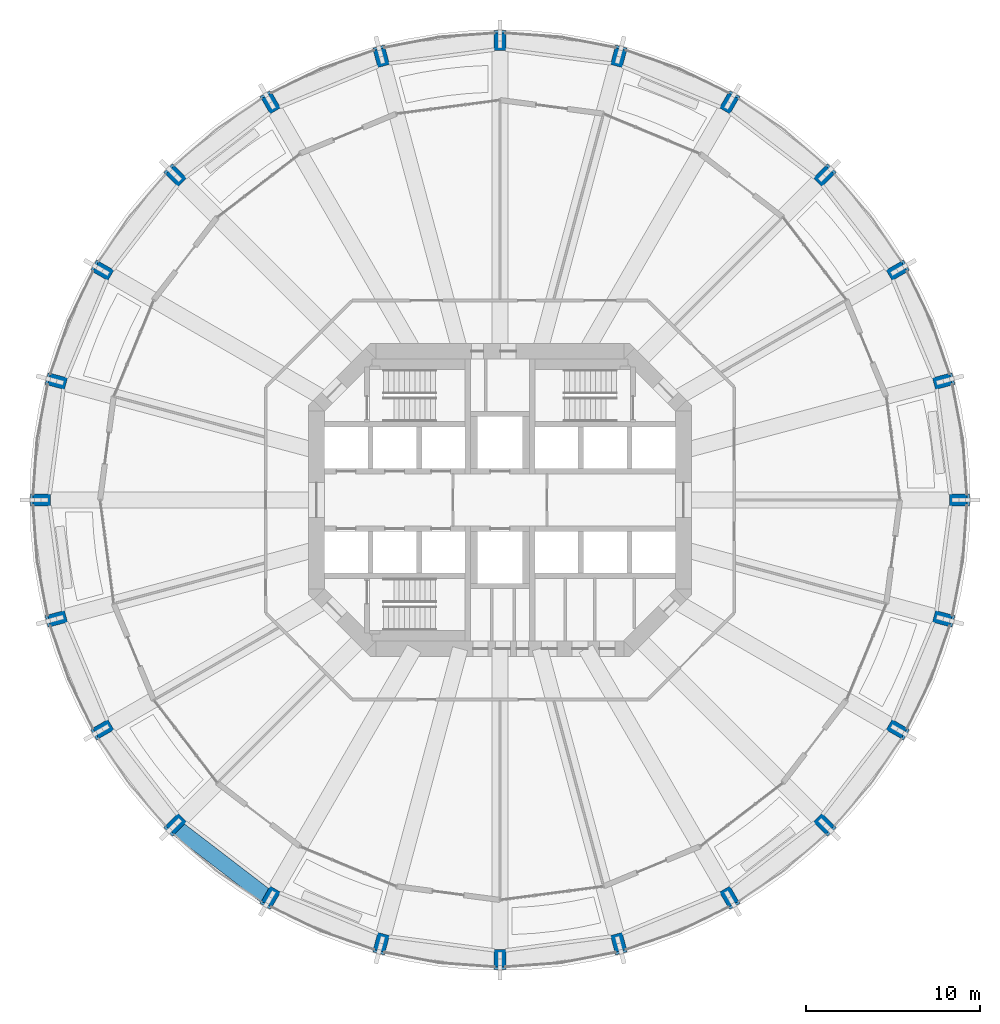
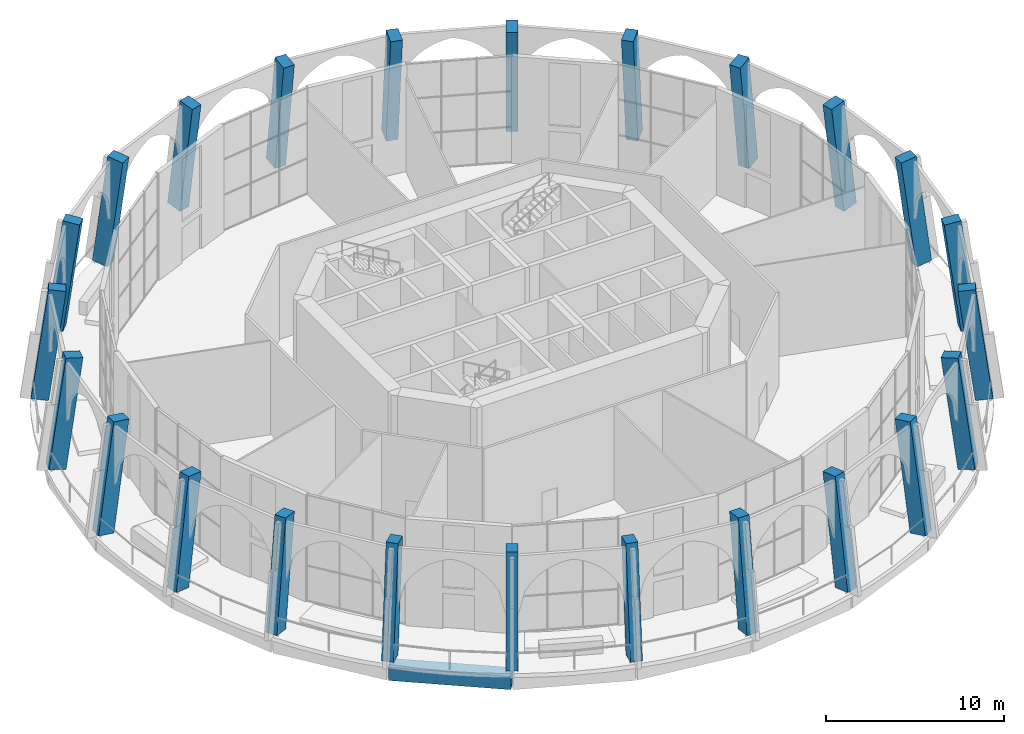
# One storey, part 1 of 19: 24 columns, 1 beam.
"""IFC4 building model written with IfcOpenShell, lengths in metres."""

from ifc_helpers import new_model, si_unit, direction, frame, origin, origin_2d, place, context, subcontext, project, spatial, rectangle, extrude, material, material_profile, profile_set, type_object, element, save


model = new_model("IFC4")

# Units and contexts
model_context = context("Model", 3, precision=1e-05, world=origin(), true_north=direction((0.0, 1.0)))
body_context = subcontext(model_context, "Body", "Model", "MODEL_VIEW")
ifc_project = project(units=[si_unit("LENGTHUNIT", "METRE"), si_unit("AREAUNIT", "SQUARE_METRE"), si_unit("VOLUMEUNIT", "CUBIC_METRE"), si_unit("PLANEANGLEUNIT", "RADIAN"), si_unit("MASSUNIT", "GRAM", prefix="KILO")], contexts=[model_context])

# Site, building, storey
site_placement = place(None, origin())
site = spatial("IfcSite", under=ifc_project, at=site_placement, CompositionType="ELEMENT")
building_placement = place(site_placement, origin())
building = spatial("IfcBuilding", under=site, at=building_placement, Name="Torre Triforio", CompositionType="ELEMENT")
storey_placement = place(building_placement, frame((0.0, 0.0, 79.0)))
storey = spatial("IfcBuildingStorey", under=building, at=storey_placement, Name="L17", CompositionType="ELEMENT", Elevation=79.0)

# Columns
ifc_material_1 = material(Name="Concrete C60", Category="concrete")
ifc_material_profile_1 = material_profile(ifc_material_1, rectangle(XDim=0.699951171875, YDim=1.0, at=origin_2d()), Name="RC 700x1000")
ifc_profile_set_1 = profile_set([ifc_material_profile_1], Name="Concrete C60")
column_type = type_object("IfcColumnType", Name="Pier RC 700x1000 C60", PredefinedType="COLUMN", material=ifc_profile_set_1)
for number, where, z_axis, x_axis, name in (
    (1, (26.491455078125, 0.0, 0.065185546875), (-0.130465410061, 0.0, 0.991452861601), (0.0, -1.0, 0.0), "COL.R.L17.00"),
    (2, (25.588623046875, 6.8564453125, 0.065185546875), (-0.125993842616, -0.033766868314, 0.991456176655), (0.258868541663, -0.965912562366, 0.0), "COL.R.L17.01"),
    (3, (22.942138671875, 13.24560546875, 0.065185546875), (-0.112966818214, -0.065200584695, 0.991457201163), (0.499880173341, -0.866094574686, 0.0), "COL.R.L17.02"),
    (4, (18.732177734375, 18.732177734375, 0.065185546875), (-0.092227113574, -0.092227113574, 0.991457673854), (0.707106781187, -0.707106781187, 0.0), "COL.R.L17.03"),
    (5, (13.24560546875, 22.942138671875, 0.065185546875), (-0.065200584695, -0.112966818214, 0.991457201163), (0.866094574686, -0.499880173341, 0.0), "COL.R.L17.04"),
    (6, (6.8564453125, 25.588623046875, 0.065185546875), (-0.033766868314, -0.125993842616, 0.991456176655), (0.965912562366, -0.258868541663, 0.0), "COL.R.L17.05"),
    (7, (0.0, 26.491455078125, 0.065185546875), (0.0, -0.130465410061, 0.991452861601), (1.0, 0.0, 0.0), "COL.R.L17.06"),
    (8, (-6.8564453125, 25.588623046875, 0.065185546875), (0.033766868314, -0.125993842616, 0.991456176655), (0.965912562366, 0.258868541663, 0.0), "COL.R.L17.07"),
    (9, (-13.24560546875, 22.942138671875, 0.065185546875), (0.065200584695, -0.112966818214, 0.991457201163), (0.866094574686, 0.499880173341, 0.0), "COL.R.L17.08"),
    (10, (-18.732177734375, 18.732177734375, 0.065185546875), (0.092227113574, -0.092227113574, 0.991457673854), (0.707106781187, 0.707106781187, 0.0), "COL.R.L17.09"),
    (11, (-22.942138671875, 13.24560546875, 0.065185546875), (0.112966818214, -0.065200584695, 0.991457201163), (0.499880173341, 0.866094574686, 0.0), "COL.R.L17.10"),
    (12, (-25.588623046875, 6.8564453125, 0.065185546875), (0.125993842616, -0.033766868314, 0.991456176655), (0.258868541663, 0.965912562366, 0.0), "COL.R.L17.11"),
    (13, (-26.491455078125, 0.0, 0.065185546875), (0.130465410061, 0.0, 0.991452861601), (0.0, 1.0, 0.0), "COL.R.L17.12"),
    (14, (-25.588623046875, -6.8564453125, 0.065185546875), (0.125993842616, 0.033766868314, 0.991456176655), (-0.258868541663, 0.965912562366, 0.0), "COL.R.L17.13"),
    (15, (-22.942138671875, -13.24560546875, 0.065185546875), (0.112966818214, 0.065200584695, 0.991457201163), (-0.499880173341, 0.866094574686, 0.0), "COL.R.L17.14"),
    (16, (-18.732177734375, -18.732177734375, 0.065185546875), (0.092227113574, 0.092227113574, 0.991457673854), (-0.707106781187, 0.707106781187, 0.0), "COL.R.L17.15"),
    (17, (-13.24560546875, -22.942138671875, 0.065185546875), (0.065200584695, 0.112966818214, 0.991457201163), (-0.866094574686, 0.499880173341, 0.0), "COL.R.L17.16"),
    (18, (-6.8564453125, -25.588623046875, 0.065185546875), (0.033766868314, 0.125993842616, 0.991456176655), (-0.965912562366, 0.258868541663, 0.0), "COL.R.L17.17"),
    (19, (0.0, -26.491455078125, 0.065185546875), (0.0, 0.130465410061, 0.991452861601), (-1.0, 0.0, 0.0), "COL.R.L17.18"),
    (20, (6.8564453125, -25.588623046875, 0.065185546875), (-0.033766868314, 0.125993842616, 0.991456176655), (-0.965912562366, -0.258868541663, 0.0), "COL.R.L17.19"),
    (21, (13.24560546875, -22.942138671875, 0.065185546875), (-0.065200584695, 0.112966818214, 0.991457201163), (-0.866094574686, -0.499880173341, 0.0), "COL.R.L17.20"),
    (22, (18.732177734375, -18.732177734375, 0.065185546875), (-0.092227113574, 0.092227113574, 0.991457673854), (-0.707106781187, -0.707106781187, 0.0), "COL.R.L17.21"),
    (23, (22.942138671875, -13.24560546875, 0.065185546875), (-0.112966818214, 0.065200584695, 0.991457201163), (-0.499880173341, -0.866094574686, 0.0), "COL.R.L17.22"),
    (24, (25.588623046875, -6.8564453125, 0.065185546875), (-0.125993842616, 0.033766868314, 0.991456176655), (-0.258868541663, -0.965912562366, 0.0), "COL.R.L17.23"),
):
    element("IfcColumn", number, at=place(storey_placement, frame(where, z_axis=z_axis, x_axis=x_axis)), inside=storey, type_object=column_type, Name=name, PredefinedType="COLUMN", context=body_context, shape_type="SweptSolid", body=[
        extrude(rectangle(XDim=0.699951171875, YDim=1.0, at=origin_2d()), origin(), (0.0, 0.0, 1.0), 7.533935546875),
    ])

# Beam
ifc_material_2 = material(Name="Concrete C50", Category="concrete")
ifc_material_profile_2 = material_profile(ifc_material_2, rectangle(XDim=0.89990234375, YDim=0.89990234375, at=origin_2d()), Name="RC 900x900")
ifc_profile_set_2 = profile_set([ifc_material_profile_2], Name="Concrete C50")
beam_type = type_object("IfcBeamType", Name="Spandrel beam RC 900x900 C50", PredefinedType="SPANDREL", material=ifc_profile_set_2)
beam_placement = place(storey_placement, frame((-18.73828125, -18.73828125, -0.72998046875), z_axis=(0.793345000259, -0.608772297796, 0.0), x_axis=(0.608772297796, 0.793345000259, 0.0)))
element("IfcBeam", 25, at=beam_placement, inside=storey, type_object=beam_type, Name="BM.S.L17.15", PredefinedType="SPANDREL", context=body_context, shape_type="SweptSolid", body=[
    extrude(rectangle(XDim=0.89990234375, YDim=0.89990234375, at=origin_2d()), origin(), (0.0, 0.0, 1.0), 6.91796875),
])

save(model, "model.ifc")
